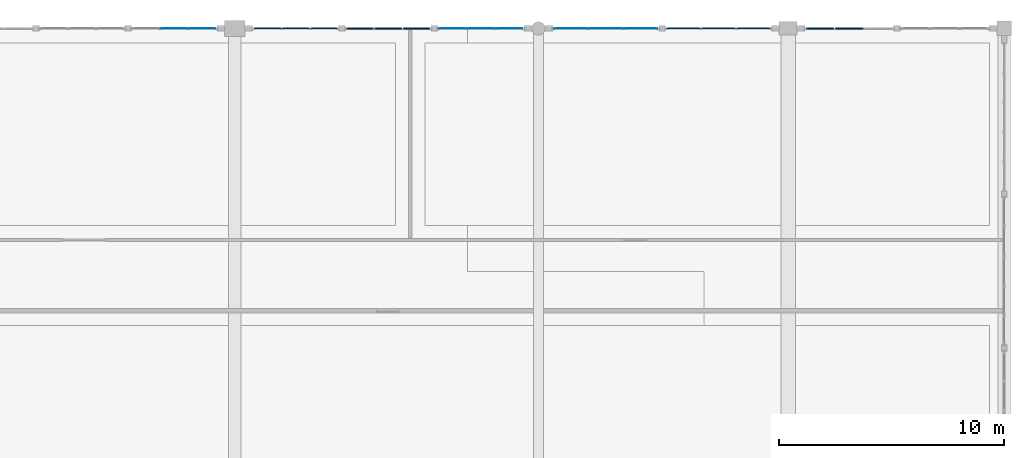
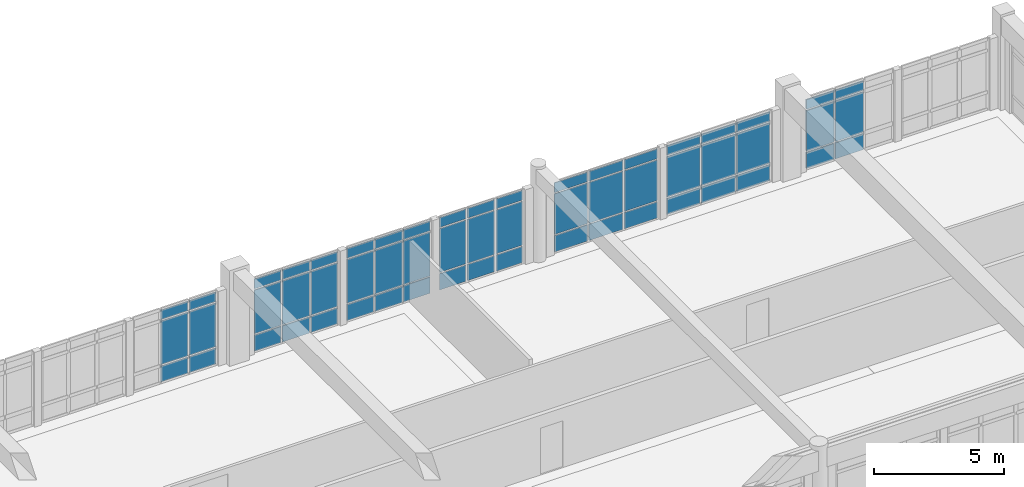
# One storey, part 79 of 109: 57 plates, 7 elements without a shape of their own.
"""IFC4 building model written with IfcOpenShell, lengths in metres."""

from ifc_helpers import new_model, si_unit, direction, frame, origin, origin_2d, place, context, subcontext, project, spatial, rectangle, extrude, material, layer, layer_set, type_object, element, aggregate, save


model = new_model("IFC4")

# Units and contexts
model_context = context("Model", 3, precision=1e-05, world=origin(), true_north=direction((0.0, 1.0)))
body_context = subcontext(model_context, "Body", "Model", "MODEL_VIEW")
ifc_project = project(units=[si_unit("LENGTHUNIT", "METRE"), si_unit("AREAUNIT", "SQUARE_METRE"), si_unit("VOLUMEUNIT", "CUBIC_METRE"), si_unit("PLANEANGLEUNIT", "RADIAN"), si_unit("MASSUNIT", "GRAM", prefix="KILO")], contexts=[model_context])

# Site, building, storey
site_placement = place(None, origin())
site = spatial("IfcSite", under=ifc_project, at=site_placement, CompositionType="ELEMENT")
building_placement = place(site_placement, origin())
building = spatial("IfcBuilding", under=site, at=building_placement, Name="Fikremerkos Civic Library", CompositionType="ELEMENT")
storey_placement = place(building_placement, frame((0.0, 0.0, 5.39990234375)))
storey = spatial("IfcBuildingStorey", under=building, at=storey_placement, Name="L01", CompositionType="ELEMENT", Elevation=5.39990234375)

# Curtain wall, plates
ifc_material_1 = material(Name="Anodized aluminium Frame", Category="aluminium")
ifc_layer_1 = layer(ifc_material_1, 0.159912109375, Name="Anodized aluminium Frame")
ifc_layer_set_1 = layer_set([ifc_layer_1], Name="Anodized aluminium Frame")
curtain_wall_type_1 = type_object("IfcCurtainWallType", Name="Unitised curtain wall CW-13 3700x3200", PredefinedType="USERDEFINED", material=ifc_layer_set_1)
curtain_wall_1_placement = place(storey_placement, origin())
curtain_wall_1 = element("IfcCurtainWall", 1, at=curtain_wall_1_placement, inside=storey, type_object=curtain_wall_type_1, Name="Unitised curtain wall CW-13 L01 #139", ObjectType="UNITISED CURTAIN WALL", PredefinedType="USERDEFINED")
ifc_material_2 = material(Name="Solar control double glazing", Category="glass")
ifc_layer_2 = layer(ifc_material_2, 0.028076171875, Name="Solar control double glazing")
ifc_layer_set_2 = layer_set([ifc_layer_2], Name="Solar control double glazing")
plate_type_1 = type_object("IfcPlateType", Name="Curtain glazing panel CWP-01 28", PredefinedType="CURTAIN_PANEL", material=ifc_layer_set_2)
plate_1_placement = place(storey_placement, frame((109.886474609375, 117.60009765625, 0.06005859375), z_axis=(0.0, 0.0, 1.0), x_axis=(1.0, 0.0, 0.0)))
plate_1 = element("IfcPlate", 2, at=plate_1_placement, type_object=plate_type_1, Name="CW-13 panel 1.1", PredefinedType="CURTAIN_PANEL", context=body_context, shape_type="SweptSolid", body=[
    extrude(rectangle(XDim=1.175048828125, YDim=0.028076171875, at=origin_2d()), origin(), (0.0, 0.0, 1.0), 0.760009765625),
])
plate_2_placement = place(storey_placement, frame((109.886474609375, 117.60009765625, 0.880126953125), z_axis=(0.0, 0.0, 1.0), x_axis=(1.0, 0.0, 0.0)))
plate_2 = element("IfcPlate", 3, at=plate_2_placement, type_object=plate_type_1, Name="CW-13 panel 1.2", PredefinedType="CURTAIN_PANEL", context=body_context, shape_type="SweptSolid", body=[
    extrude(rectangle(XDim=1.175048828125, YDim=0.028076171875, at=origin_2d()), origin(), (0.0, 0.0, 1.0), 2.05712890625),
])
plate_3_placement = place(storey_placement, frame((109.886474609375, 117.60009765625, 2.997314453125), z_axis=(0.0, 0.0, 1.0), x_axis=(1.0, 0.0, 0.0)))
plate_3 = element("IfcPlate", 4, at=plate_3_placement, type_object=plate_type_1, Name="CW-13 panel 1.3", PredefinedType="CURTAIN_PANEL", context=body_context, shape_type="SweptSolid", body=[
    extrude(rectangle(XDim=1.175048828125, YDim=0.028076171875, at=origin_2d()), origin(), (0.0, 0.0, 1.0), 0.4599609375),
])
plate_4_placement = place(storey_placement, frame((111.14306640625, 117.60009765625, 0.06005859375), z_axis=(0.0, 0.0, 1.0), x_axis=(1.0, 0.0, 0.0)))
plate_4 = element("IfcPlate", 5, at=plate_4_placement, type_object=plate_type_1, Name="CW-13 panel 2.1", PredefinedType="CURTAIN_PANEL", context=body_context, shape_type="SweptSolid", body=[
    extrude(rectangle(XDim=1.207763671875, YDim=0.028076171875, at=origin_2d()), origin(), (0.0, 0.0, 1.0), 0.760009765625),
])
plate_5_placement = place(storey_placement, frame((111.14306640625, 117.60009765625, 0.880126953125), z_axis=(0.0, 0.0, 1.0), x_axis=(1.0, 0.0, 0.0)))
plate_5 = element("IfcPlate", 6, at=plate_5_placement, type_object=plate_type_1, Name="CW-13 panel 2.2", PredefinedType="CURTAIN_PANEL", context=body_context, shape_type="SweptSolid", body=[
    extrude(rectangle(XDim=1.207763671875, YDim=0.028076171875, at=origin_2d()), origin(), (0.0, 0.0, 1.0), 2.05712890625),
])
plate_6_placement = place(storey_placement, frame((111.14306640625, 117.60009765625, 2.997314453125), z_axis=(0.0, 0.0, 1.0), x_axis=(1.0, 0.0, 0.0)))
plate_6 = element("IfcPlate", 7, at=plate_6_placement, type_object=plate_type_1, Name="CW-13 panel 2.3", PredefinedType="CURTAIN_PANEL", context=body_context, shape_type="SweptSolid", body=[
    extrude(rectangle(XDim=1.207763671875, YDim=0.028076171875, at=origin_2d()), origin(), (0.0, 0.0, 1.0), 0.4599609375),
])
plate_7_placement = place(storey_placement, frame((112.3994140625, 117.60009765625, 0.06005859375), z_axis=(0.0, 0.0, 1.0), x_axis=(1.0, 0.0, 0.0)))
plate_7 = element("IfcPlate", 8, at=plate_7_placement, type_object=plate_type_1, Name="CW-13 panel 3.1", PredefinedType="CURTAIN_PANEL", context=body_context, shape_type="SweptSolid", body=[
    extrude(rectangle(XDim=1.175048828125, YDim=0.028076171875, at=origin_2d()), origin(), (0.0, 0.0, 1.0), 0.760009765625),
])
plate_8_placement = place(storey_placement, frame((112.3994140625, 117.60009765625, 0.880126953125), z_axis=(0.0, 0.0, 1.0), x_axis=(1.0, 0.0, 0.0)))
plate_8 = element("IfcPlate", 9, at=plate_8_placement, type_object=plate_type_1, Name="CW-13 panel 3.2", PredefinedType="CURTAIN_PANEL", context=body_context, shape_type="SweptSolid", body=[
    extrude(rectangle(XDim=1.175048828125, YDim=0.028076171875, at=origin_2d()), origin(), (0.0, 0.0, 1.0), 2.05712890625),
])
plate_9_placement = place(storey_placement, frame((112.3994140625, 117.60009765625, 2.997314453125), z_axis=(0.0, 0.0, 1.0), x_axis=(1.0, 0.0, 0.0)))
plate_9 = element("IfcPlate", 10, at=plate_9_placement, type_object=plate_type_1, Name="CW-13 panel 3.3", PredefinedType="CURTAIN_PANEL", context=body_context, shape_type="SweptSolid", body=[
    extrude(rectangle(XDim=1.175048828125, YDim=0.028076171875, at=origin_2d()), origin(), (0.0, 0.0, 1.0), 0.4599609375),
])
aggregate(curtain_wall_1, [plate_1, plate_2, plate_3, plate_4, plate_5, plate_6, plate_7, plate_8, plate_9])

ifc_layer_3 = layer(ifc_material_1, 0.159912109375, Name="Anodized aluminium Frame")
ifc_layer_set_3 = layer_set([ifc_layer_3], Name="Anodized aluminium Frame")
curtain_wall_type_2 = type_object("IfcCurtainWallType", Name="Unitised curtain wall CW-10 4000x3400", PredefinedType="USERDEFINED", material=ifc_layer_set_3)
curtain_wall_2_placement = place(storey_placement, origin())
curtain_wall_2 = element("IfcCurtainWall", 11, at=curtain_wall_2_placement, inside=storey, type_object=curtain_wall_type_2, Name="Unitised curtain wall CW-10 L01 #136", ObjectType="UNITISED CURTAIN WALL", PredefinedType="USERDEFINED")
ifc_layer_4 = layer(ifc_material_2, 0.035888671875, Name="Solar control double glazing")
ifc_layer_set_4 = layer_set([ifc_layer_4], Name="Solar control double glazing")
plate_type_2 = type_object("IfcPlateType", Name="Curtain glazing panel CWP-02 36", PredefinedType="CURTAIN_PANEL", material=ifc_layer_set_4)
plate_10_placement = place(storey_placement, frame((97.505615234375, 117.60009765625, 0.070068359375), z_axis=(0.0, 0.0, 1.0), x_axis=(1.0, 0.0, 0.0)))
plate_10 = element("IfcPlate", 12, at=plate_10_placement, type_object=plate_type_2, Name="CW-10 panel 2.1", PredefinedType="CURTAIN_PANEL", context=body_context, shape_type="SweptSolid", body=[
    extrude(rectangle(XDim=1.204345703125, YDim=0.035888671875, at=origin_2d()), origin(), (0.0, 0.0, 1.0), 0.7451171875),
])
plate_11_placement = place(storey_placement, frame((97.505615234375, 117.60009765625, 0.88525390625), z_axis=(0.0, 0.0, 1.0), x_axis=(1.0, 0.0, 0.0)))
plate_11 = element("IfcPlate", 13, at=plate_11_placement, type_object=plate_type_2, Name="CW-10 panel 2.2", PredefinedType="CURTAIN_PANEL", context=body_context, shape_type="SweptSolid", body=[
    extrude(rectangle(XDim=1.204345703125, YDim=0.035888671875, at=origin_2d()), origin(), (0.0, 0.0, 1.0), 2.047119140625),
])
plate_12_placement = place(storey_placement, frame((97.505615234375, 117.60009765625, 3.00244140625), z_axis=(0.0, 0.0, 1.0), x_axis=(1.0, 0.0, 0.0)))
plate_12 = element("IfcPlate", 14, at=plate_12_placement, type_object=plate_type_2, Name="CW-10 panel 2.3", PredefinedType="CURTAIN_PANEL", context=body_context, shape_type="SweptSolid", body=[
    extrude(rectangle(XDim=1.204345703125, YDim=0.035888671875, at=origin_2d()), origin(), (0.0, 0.0, 1.0), 0.445068359375),
])
plate_13_placement = place(storey_placement, frame((98.7548828125, 117.60009765625, 0.070068359375), z_axis=(0.0, 0.0, 1.0), x_axis=(1.0, 0.0, 0.0)))
plate_13 = element("IfcPlate", 15, at=plate_13_placement, type_object=plate_type_2, Name="CW-10 panel 3.1", PredefinedType="CURTAIN_PANEL", context=body_context, shape_type="SweptSolid", body=[
    extrude(rectangle(XDim=1.17431640625, YDim=0.035888671875, at=origin_2d()), origin(), (0.0, 0.0, 1.0), 0.7451171875),
])
plate_14_placement = place(storey_placement, frame((98.7548828125, 117.60009765625, 0.88525390625), z_axis=(0.0, 0.0, 1.0), x_axis=(1.0, 0.0, 0.0)))
plate_14 = element("IfcPlate", 16, at=plate_14_placement, type_object=plate_type_2, Name="CW-10 panel 3.2", PredefinedType="CURTAIN_PANEL", context=body_context, shape_type="SweptSolid", body=[
    extrude(rectangle(XDim=1.17431640625, YDim=0.035888671875, at=origin_2d()), origin(), (0.0, 0.0, 1.0), 2.047119140625),
])
plate_15_placement = place(storey_placement, frame((98.7548828125, 117.60009765625, 3.00244140625), z_axis=(0.0, 0.0, 1.0), x_axis=(1.0, 0.0, 0.0)))
plate_15 = element("IfcPlate", 17, at=plate_15_placement, type_object=plate_type_2, Name="CW-10 panel 3.3", PredefinedType="CURTAIN_PANEL", context=body_context, shape_type="SweptSolid", body=[
    extrude(rectangle(XDim=1.17431640625, YDim=0.035888671875, at=origin_2d()), origin(), (0.0, 0.0, 1.0), 0.445068359375),
])
aggregate(curtain_wall_2, [plate_10, plate_11, plate_12, plate_13, plate_14, plate_15])

ifc_layer_5 = layer(ifc_material_1, 0.159912109375, Name="Anodized aluminium Frame")
ifc_layer_set_5 = layer_set([ifc_layer_5], Name="Anodized aluminium Frame")
curtain_wall_type_3 = type_object("IfcCurtainWallType", Name="Unitised curtain wall CW-14 4100x3200", PredefinedType="USERDEFINED", material=ifc_layer_set_5)
curtain_wall_3_placement = place(storey_placement, origin())
curtain_wall_3 = element("IfcCurtainWall", 18, at=curtain_wall_3_placement, inside=storey, type_object=curtain_wall_type_3, Name="Unitised curtain wall CW-14 L01 #140", ObjectType="UNITISED CURTAIN WALL", PredefinedType="USERDEFINED")
plate_16_placement = place(storey_placement, frame((115.146728515625, 117.60009765625, 0.06005859375), z_axis=(0.0, 0.0, 1.0), x_axis=(1.0, 0.0, 0.0)))
plate_16 = element("IfcPlate", 19, at=plate_16_placement, type_object=plate_type_2, Name="CW-14 panel 1.1", PredefinedType="CURTAIN_PANEL", context=body_context, shape_type="SweptSolid", body=[
    extrude(rectangle(XDim=1.477294921875, YDim=0.035888671875, at=origin_2d()), origin(), (0.0, 0.0, 1.0), 0.760009765625),
])
plate_17_placement = place(storey_placement, frame((115.146728515625, 117.60009765625, 0.880126953125), z_axis=(0.0, 0.0, 1.0), x_axis=(1.0, 0.0, 0.0)))
plate_17 = element("IfcPlate", 20, at=plate_17_placement, type_object=plate_type_2, Name="CW-14 panel 1.2", PredefinedType="CURTAIN_PANEL", context=body_context, shape_type="SweptSolid", body=[
    extrude(rectangle(XDim=1.477294921875, YDim=0.035888671875, at=origin_2d()), origin(), (0.0, 0.0, 1.0), 1.9072265625),
])
plate_18_placement = place(storey_placement, frame((115.146728515625, 117.60009765625, 2.847412109375), z_axis=(0.0, 0.0, 1.0), x_axis=(1.0, 0.0, 0.0)))
plate_18 = element("IfcPlate", 21, at=plate_18_placement, type_object=plate_type_2, Name="CW-14 panel 1.3", PredefinedType="CURTAIN_PANEL", context=body_context, shape_type="SweptSolid", body=[
    extrude(rectangle(XDim=1.477294921875, YDim=0.035888671875, at=origin_2d()), origin(), (0.0, 0.0, 1.0), 0.4599609375),
])
plate_19_placement = place(storey_placement, frame((116.698974609375, 117.60009765625, 0.06005859375), z_axis=(0.0, 0.0, 1.0), x_axis=(1.0, 0.0, 0.0)))
plate_19 = element("IfcPlate", 22, at=plate_19_placement, type_object=plate_type_2, Name="CW-14 panel 2.1", PredefinedType="CURTAIN_PANEL", context=body_context, shape_type="SweptSolid", body=[
    extrude(rectangle(XDim=1.50732421875, YDim=0.035888671875, at=origin_2d()), origin(), (0.0, 0.0, 1.0), 0.760009765625),
])
plate_20_placement = place(storey_placement, frame((116.698974609375, 117.60009765625, 0.880126953125), z_axis=(0.0, 0.0, 1.0), x_axis=(1.0, 0.0, 0.0)))
plate_20 = element("IfcPlate", 23, at=plate_20_placement, type_object=plate_type_2, Name="CW-14 panel 2.2", PredefinedType="CURTAIN_PANEL", context=body_context, shape_type="SweptSolid", body=[
    extrude(rectangle(XDim=1.50732421875, YDim=0.035888671875, at=origin_2d()), origin(), (0.0, 0.0, 1.0), 1.9072265625),
])
plate_21_placement = place(storey_placement, frame((116.698974609375, 117.60009765625, 2.847412109375), z_axis=(0.0, 0.0, 1.0), x_axis=(1.0, 0.0, 0.0)))
plate_21 = element("IfcPlate", 24, at=plate_21_placement, type_object=plate_type_2, Name="CW-14 panel 2.3", PredefinedType="CURTAIN_PANEL", context=body_context, shape_type="SweptSolid", body=[
    extrude(rectangle(XDim=1.50732421875, YDim=0.035888671875, at=origin_2d()), origin(), (0.0, 0.0, 1.0), 0.4599609375),
])
plate_22_placement = place(storey_placement, frame((118.251220703125, 117.60009765625, 0.06005859375), z_axis=(0.0, 0.0, 1.0), x_axis=(1.0, 0.0, 0.0)))
plate_22 = element("IfcPlate", 25, at=plate_22_placement, type_object=plate_type_2, Name="CW-14 panel 3.1", PredefinedType="CURTAIN_PANEL", context=body_context, shape_type="SweptSolid", body=[
    extrude(rectangle(XDim=1.477294921875, YDim=0.035888671875, at=origin_2d()), origin(), (0.0, 0.0, 1.0), 0.760009765625),
])
plate_23_placement = place(storey_placement, frame((118.251220703125, 117.60009765625, 0.880126953125), z_axis=(0.0, 0.0, 1.0), x_axis=(1.0, 0.0, 0.0)))
plate_23 = element("IfcPlate", 26, at=plate_23_placement, type_object=plate_type_2, Name="CW-14 panel 3.2", PredefinedType="CURTAIN_PANEL", context=body_context, shape_type="SweptSolid", body=[
    extrude(rectangle(XDim=1.477294921875, YDim=0.035888671875, at=origin_2d()), origin(), (0.0, 0.0, 1.0), 1.9072265625),
])
plate_24_placement = place(storey_placement, frame((118.251220703125, 117.60009765625, 2.847412109375), z_axis=(0.0, 0.0, 1.0), x_axis=(1.0, 0.0, 0.0)))
plate_24 = element("IfcPlate", 27, at=plate_24_placement, type_object=plate_type_2, Name="CW-14 panel 3.3", PredefinedType="CURTAIN_PANEL", context=body_context, shape_type="SweptSolid", body=[
    extrude(rectangle(XDim=1.477294921875, YDim=0.035888671875, at=origin_2d()), origin(), (0.0, 0.0, 1.0), 0.4599609375),
])
aggregate(curtain_wall_3, [plate_16, plate_17, plate_18, plate_19, plate_20, plate_21, plate_22, plate_23, plate_24])

ifc_layer_6 = layer(ifc_material_1, 0.159912109375, Name="Anodized aluminium Frame")
ifc_layer_set_6 = layer_set([ifc_layer_6], Name="Anodized aluminium Frame")
curtain_wall_type_4 = type_object("IfcCurtainWallType", Name="Unitised curtain wall CW-11 3200x3400", PredefinedType="USERDEFINED", material=ifc_layer_set_6)
curtain_wall_4_placement = place(storey_placement, origin())
curtain_wall_4 = element("IfcCurtainWall", 28, at=curtain_wall_4_placement, inside=storey, type_object=curtain_wall_type_4, Name="Unitised curtain wall CW-11 L01 #137", ObjectType="UNITISED CURTAIN WALL", PredefinedType="USERDEFINED")
ifc_material_3 = material(Name="Insulated aluminium spandrel", Category="aluminium")
ifc_layer_7 = layer(ifc_material_3, 0.044921875, Name="Insulated aluminium spandrel")
ifc_layer_set_7 = layer_set([ifc_layer_7], Name="Insulated aluminium spandrel")
plate_type_3 = type_object("IfcPlateType", Name="Curtain spandrel panel CSP-01 45", PredefinedType="CURTAIN_PANEL", material=ifc_layer_set_7)
plate_25_placement = place(storey_placement, frame((101.6494140625, 117.60009765625, 0.065185546875), z_axis=(0.0, 0.0, 1.0), x_axis=(1.0, 0.0, 0.0)))
plate_25 = element("IfcPlate", 29, at=plate_25_placement, type_object=plate_type_3, Name="CW-11 panel 1.1", PredefinedType="CURTAIN_PANEL", context=body_context, shape_type="SweptSolid", body=[
    extrude(rectangle(XDim=1.1826171875, YDim=0.044921875, at=origin_2d()), origin(), (0.0, 0.0, 1.0), 0.75244140625),
])
plate_26_placement = place(storey_placement, frame((101.6494140625, 117.60009765625, 0.882568359375), z_axis=(0.0, 0.0, 1.0), x_axis=(1.0, 0.0, 0.0)))
plate_26 = element("IfcPlate", 30, at=plate_26_placement, type_object=plate_type_3, Name="CW-11 panel 1.2", PredefinedType="CURTAIN_PANEL", context=body_context, shape_type="SweptSolid", body=[
    extrude(rectangle(XDim=1.1826171875, YDim=0.044921875, at=origin_2d()), origin(), (0.0, 0.0, 1.0), 2.05224609375),
])
plate_27_placement = place(storey_placement, frame((101.6494140625, 117.60009765625, 3.0), z_axis=(0.0, 0.0, 1.0), x_axis=(1.0, 0.0, 0.0)))
plate_27 = element("IfcPlate", 31, at=plate_27_placement, type_object=plate_type_3, Name="CW-11 panel 1.3", PredefinedType="CURTAIN_PANEL", context=body_context, shape_type="SweptSolid", body=[
    extrude(rectangle(XDim=1.1826171875, YDim=0.044921875, at=origin_2d()), origin(), (0.0, 0.0, 1.0), 0.452392578125),
])
plate_28_placement = place(storey_placement, frame((102.906982421875, 117.60009765625, 0.065185546875), z_axis=(0.0, 0.0, 1.0), x_axis=(1.0, 0.0, 0.0)))
plate_28 = element("IfcPlate", 32, at=plate_28_placement, type_object=plate_type_3, Name="CW-11 panel 2.1", PredefinedType="CURTAIN_PANEL", context=body_context, shape_type="SweptSolid", body=[
    extrude(rectangle(XDim=1.212646484375, YDim=0.044921875, at=origin_2d()), origin(), (0.0, 0.0, 1.0), 0.75244140625),
])
plate_29_placement = place(storey_placement, frame((102.906982421875, 117.60009765625, 0.882568359375), z_axis=(0.0, 0.0, 1.0), x_axis=(1.0, 0.0, 0.0)))
plate_29 = element("IfcPlate", 33, at=plate_29_placement, type_object=plate_type_3, Name="CW-11 panel 2.2", PredefinedType="CURTAIN_PANEL", context=body_context, shape_type="SweptSolid", body=[
    extrude(rectangle(XDim=1.212646484375, YDim=0.044921875, at=origin_2d()), origin(), (0.0, 0.0, 1.0), 2.05224609375),
])
plate_30_placement = place(storey_placement, frame((102.906982421875, 117.60009765625, 3.0), z_axis=(0.0, 0.0, 1.0), x_axis=(1.0, 0.0, 0.0)))
plate_30 = element("IfcPlate", 34, at=plate_30_placement, type_object=plate_type_3, Name="CW-11 panel 2.3", PredefinedType="CURTAIN_PANEL", context=body_context, shape_type="SweptSolid", body=[
    extrude(rectangle(XDim=1.212646484375, YDim=0.044921875, at=origin_2d()), origin(), (0.0, 0.0, 1.0), 0.452392578125),
])
plate_31_placement = place(storey_placement, frame((104.16455078125, 117.60009765625, 0.065185546875), z_axis=(0.0, 0.0, 1.0), x_axis=(1.0, 0.0, 0.0)))
plate_31 = element("IfcPlate", 35, at=plate_31_placement, type_object=plate_type_3, Name="CW-11 panel 3.1", PredefinedType="CURTAIN_PANEL", context=body_context, shape_type="SweptSolid", body=[
    extrude(rectangle(XDim=1.1826171875, YDim=0.044921875, at=origin_2d()), origin(), (0.0, 0.0, 1.0), 0.75244140625),
])
plate_32_placement = place(storey_placement, frame((104.16455078125, 117.60009765625, 0.882568359375), z_axis=(0.0, 0.0, 1.0), x_axis=(1.0, 0.0, 0.0)))
plate_32 = element("IfcPlate", 36, at=plate_32_placement, type_object=plate_type_3, Name="CW-11 panel 3.2", PredefinedType="CURTAIN_PANEL", context=body_context, shape_type="SweptSolid", body=[
    extrude(rectangle(XDim=1.1826171875, YDim=0.044921875, at=origin_2d()), origin(), (0.0, 0.0, 1.0), 2.05224609375),
])
plate_33_placement = place(storey_placement, frame((104.16455078125, 117.60009765625, 3.0), z_axis=(0.0, 0.0, 1.0), x_axis=(1.0, 0.0, 0.0)))
plate_33 = element("IfcPlate", 37, at=plate_33_placement, type_object=plate_type_3, Name="CW-11 panel 3.3", PredefinedType="CURTAIN_PANEL", context=body_context, shape_type="SweptSolid", body=[
    extrude(rectangle(XDim=1.1826171875, YDim=0.044921875, at=origin_2d()), origin(), (0.0, 0.0, 1.0), 0.452392578125),
])
aggregate(curtain_wall_4, [plate_25, plate_26, plate_27, plate_28, plate_29, plate_30, plate_31, plate_32, plate_33])

ifc_layer_8 = layer(ifc_material_1, 0.159912109375, Name="Anodized aluminium Frame")
ifc_layer_set_8 = layer_set([ifc_layer_8], Name="Anodized aluminium Frame")
curtain_wall_type_5 = type_object("IfcCurtainWallType", Name="Unitised curtain wall CW-15 2900x3600", PredefinedType="USERDEFINED", material=ifc_layer_set_8)
curtain_wall_5_placement = place(storey_placement, origin())
curtain_wall_5 = element("IfcCurtainWall", 38, at=curtain_wall_5_placement, inside=storey, type_object=curtain_wall_type_5, Name="Unitised curtain wall CW-15 L01 #141", ObjectType="UNITISED CURTAIN WALL", PredefinedType="USERDEFINED")
plate_34_placement = place(storey_placement, frame((120.148681640625, 117.60009765625, 0.070068359375), z_axis=(0.0, 0.0, 1.0), x_axis=(1.0, 0.0, 0.0)))
plate_34 = element("IfcPlate", 39, at=plate_34_placement, type_object=plate_type_3, Name="CW-15 panel 1.1", PredefinedType="CURTAIN_PANEL", context=body_context, shape_type="SweptSolid", body=[
    extrude(rectangle(XDim=1.477294921875, YDim=0.044921875, at=origin_2d()), origin(), (0.0, 0.0, 1.0), 0.7451171875),
])
plate_35_placement = place(storey_placement, frame((120.148681640625, 117.60009765625, 0.88525390625), z_axis=(0.0, 0.0, 1.0), x_axis=(1.0, 0.0, 0.0)))
plate_35 = element("IfcPlate", 40, at=plate_35_placement, type_object=plate_type_3, Name="CW-15 panel 1.2", PredefinedType="CURTAIN_PANEL", context=body_context, shape_type="SweptSolid", body=[
    extrude(rectangle(XDim=1.477294921875, YDim=0.044921875, at=origin_2d()), origin(), (0.0, 0.0, 1.0), 1.897216796875),
])
plate_36_placement = place(storey_placement, frame((120.148681640625, 117.60009765625, 2.85205078125), z_axis=(0.0, 0.0, 1.0), x_axis=(1.0, 0.0, 0.0)))
plate_36 = element("IfcPlate", 41, at=plate_36_placement, type_object=plate_type_3, Name="CW-15 panel 1.3", PredefinedType="CURTAIN_PANEL", context=body_context, shape_type="SweptSolid", body=[
    extrude(rectangle(XDim=1.477294921875, YDim=0.044921875, at=origin_2d()), origin(), (0.0, 0.0, 1.0), 0.445068359375),
])
plate_37_placement = place(storey_placement, frame((121.700927734375, 117.60009765625, 0.070068359375), z_axis=(0.0, 0.0, 1.0), x_axis=(1.0, 0.0, 0.0)))
plate_37 = element("IfcPlate", 42, at=plate_37_placement, type_object=plate_type_3, Name="CW-15 panel 2.1", PredefinedType="CURTAIN_PANEL", context=body_context, shape_type="SweptSolid", body=[
    extrude(rectangle(XDim=1.50732421875, YDim=0.044921875, at=origin_2d()), origin(), (0.0, 0.0, 1.0), 0.7451171875),
])
plate_38_placement = place(storey_placement, frame((121.700927734375, 117.60009765625, 0.88525390625), z_axis=(0.0, 0.0, 1.0), x_axis=(1.0, 0.0, 0.0)))
plate_38 = element("IfcPlate", 43, at=plate_38_placement, type_object=plate_type_3, Name="CW-15 panel 2.2", PredefinedType="CURTAIN_PANEL", context=body_context, shape_type="SweptSolid", body=[
    extrude(rectangle(XDim=1.50732421875, YDim=0.044921875, at=origin_2d()), origin(), (0.0, 0.0, 1.0), 1.897216796875),
])
plate_39_placement = place(storey_placement, frame((121.700927734375, 117.60009765625, 2.85205078125), z_axis=(0.0, 0.0, 1.0), x_axis=(1.0, 0.0, 0.0)))
plate_39 = element("IfcPlate", 44, at=plate_39_placement, type_object=plate_type_3, Name="CW-15 panel 2.3", PredefinedType="CURTAIN_PANEL", context=body_context, shape_type="SweptSolid", body=[
    extrude(rectangle(XDim=1.50732421875, YDim=0.044921875, at=origin_2d()), origin(), (0.0, 0.0, 1.0), 0.445068359375),
])
plate_40_placement = place(storey_placement, frame((123.25341796875, 117.60009765625, 0.070068359375), z_axis=(0.0, 0.0, 1.0), x_axis=(1.0, 0.0, 0.0)))
plate_40 = element("IfcPlate", 45, at=plate_40_placement, type_object=plate_type_3, Name="CW-15 panel 3.1", PredefinedType="CURTAIN_PANEL", context=body_context, shape_type="SweptSolid", body=[
    extrude(rectangle(XDim=1.477294921875, YDim=0.044921875, at=origin_2d()), origin(), (0.0, 0.0, 1.0), 0.7451171875),
])
plate_41_placement = place(storey_placement, frame((123.25341796875, 117.60009765625, 0.88525390625), z_axis=(0.0, 0.0, 1.0), x_axis=(1.0, 0.0, 0.0)))
plate_41 = element("IfcPlate", 46, at=plate_41_placement, type_object=plate_type_3, Name="CW-15 panel 3.2", PredefinedType="CURTAIN_PANEL", context=body_context, shape_type="SweptSolid", body=[
    extrude(rectangle(XDim=1.477294921875, YDim=0.044921875, at=origin_2d()), origin(), (0.0, 0.0, 1.0), 1.897216796875),
])
plate_42_placement = place(storey_placement, frame((123.25341796875, 117.60009765625, 2.85205078125), z_axis=(0.0, 0.0, 1.0), x_axis=(1.0, 0.0, 0.0)))
plate_42 = element("IfcPlate", 47, at=plate_42_placement, type_object=plate_type_3, Name="CW-15 panel 3.3", PredefinedType="CURTAIN_PANEL", context=body_context, shape_type="SweptSolid", body=[
    extrude(rectangle(XDim=1.477294921875, YDim=0.044921875, at=origin_2d()), origin(), (0.0, 0.0, 1.0), 0.445068359375),
])
aggregate(curtain_wall_5, [plate_34, plate_35, plate_36, plate_37, plate_38, plate_39, plate_40, plate_41, plate_42])

ifc_layer_9 = layer(ifc_material_1, 0.159912109375, Name="Anodized aluminium Frame")
ifc_layer_set_9 = layer_set([ifc_layer_9], Name="Anodized aluminium Frame")
curtain_wall_type_6 = type_object("IfcCurtainWallType", Name="Unitised curtain wall CW-12 4300x3400", PredefinedType="USERDEFINED", material=ifc_layer_set_9)
curtain_wall_6_placement = place(storey_placement, origin())
curtain_wall_6 = element("IfcCurtainWall", 48, at=curtain_wall_6_placement, inside=storey, type_object=curtain_wall_type_6, Name="Unitised curtain wall CW-12 L01 #138", ObjectType="UNITISED CURTAIN WALL", PredefinedType="USERDEFINED")
ifc_layer_10 = layer(ifc_material_3, 0.054931640625, Name="Insulated aluminium spandrel")
ifc_layer_set_10 = layer_set([ifc_layer_10], Name="Insulated aluminium spandrel")
plate_type_4 = type_object("IfcPlateType", Name="Curtain spandrel panel CSP-02 55", PredefinedType="CURTAIN_PANEL", material=ifc_layer_set_10)
plate_43_placement = place(storey_placement, frame((105.767333984375, 117.60009765625, 0.065185546875), z_axis=(0.0, 0.0, 1.0), x_axis=(1.0, 0.0, 0.0)))
plate_43 = element("IfcPlate", 49, at=plate_43_placement, type_object=plate_type_4, Name="CW-12 panel 1.1", PredefinedType="CURTAIN_PANEL", context=body_context, shape_type="SweptSolid", body=[
    extrude(rectangle(XDim=1.1826171875, YDim=0.054931640625, at=origin_2d()), origin(), (0.0, 0.0, 1.0), 0.75244140625),
])
plate_44_placement = place(storey_placement, frame((105.767333984375, 117.60009765625, 0.882568359375), z_axis=(0.0, 0.0, 1.0), x_axis=(1.0, 0.0, 0.0)))
plate_44 = element("IfcPlate", 50, at=plate_44_placement, type_object=plate_type_4, Name="CW-12 panel 1.2", PredefinedType="CURTAIN_PANEL", context=body_context, shape_type="SweptSolid", body=[
    extrude(rectangle(XDim=1.1826171875, YDim=0.054931640625, at=origin_2d()), origin(), (0.0, 0.0, 1.0), 2.05224609375),
])
plate_45_placement = place(storey_placement, frame((105.767333984375, 117.60009765625, 3.0), z_axis=(0.0, 0.0, 1.0), x_axis=(1.0, 0.0, 0.0)))
plate_45 = element("IfcPlate", 51, at=plate_45_placement, type_object=plate_type_4, Name="CW-12 panel 1.3", PredefinedType="CURTAIN_PANEL", context=body_context, shape_type="SweptSolid", body=[
    extrude(rectangle(XDim=1.1826171875, YDim=0.054931640625, at=origin_2d()), origin(), (0.0, 0.0, 1.0), 0.452392578125),
])
plate_46_placement = place(storey_placement, frame((107.02490234375, 117.60009765625, 0.065185546875), z_axis=(0.0, 0.0, 1.0), x_axis=(1.0, 0.0, 0.0)))
plate_46 = element("IfcPlate", 52, at=plate_46_placement, type_object=plate_type_4, Name="CW-12 panel 2.1", PredefinedType="CURTAIN_PANEL", context=body_context, shape_type="SweptSolid", body=[
    extrude(rectangle(XDim=1.212646484375, YDim=0.054931640625, at=origin_2d()), origin(), (0.0, 0.0, 1.0), 0.75244140625),
])
plate_47_placement = place(storey_placement, frame((107.02490234375, 117.60009765625, 0.882568359375), z_axis=(0.0, 0.0, 1.0), x_axis=(1.0, 0.0, 0.0)))
plate_47 = element("IfcPlate", 53, at=plate_47_placement, type_object=plate_type_4, Name="CW-12 panel 2.2", PredefinedType="CURTAIN_PANEL", context=body_context, shape_type="SweptSolid", body=[
    extrude(rectangle(XDim=1.212646484375, YDim=0.054931640625, at=origin_2d()), origin(), (0.0, 0.0, 1.0), 2.05224609375),
])
plate_48_placement = place(storey_placement, frame((107.02490234375, 117.60009765625, 3.0), z_axis=(0.0, 0.0, 1.0), x_axis=(1.0, 0.0, 0.0)))
plate_48 = element("IfcPlate", 54, at=plate_48_placement, type_object=plate_type_4, Name="CW-12 panel 2.3", PredefinedType="CURTAIN_PANEL", context=body_context, shape_type="SweptSolid", body=[
    extrude(rectangle(XDim=1.212646484375, YDim=0.054931640625, at=origin_2d()), origin(), (0.0, 0.0, 1.0), 0.452392578125),
])
plate_49_placement = place(storey_placement, frame((108.28271484375, 117.60009765625, 0.065185546875), z_axis=(0.0, 0.0, 1.0), x_axis=(1.0, 0.0, 0.0)))
plate_49 = element("IfcPlate", 55, at=plate_49_placement, type_object=plate_type_4, Name="CW-12 panel 3.1", PredefinedType="CURTAIN_PANEL", context=body_context, shape_type="SweptSolid", body=[
    extrude(rectangle(XDim=1.1826171875, YDim=0.054931640625, at=origin_2d()), origin(), (0.0, 0.0, 1.0), 0.75244140625),
])
plate_50_placement = place(storey_placement, frame((108.28271484375, 117.60009765625, 0.882568359375), z_axis=(0.0, 0.0, 1.0), x_axis=(1.0, 0.0, 0.0)))
plate_50 = element("IfcPlate", 56, at=plate_50_placement, type_object=plate_type_4, Name="CW-12 panel 3.2", PredefinedType="CURTAIN_PANEL", context=body_context, shape_type="SweptSolid", body=[
    extrude(rectangle(XDim=1.1826171875, YDim=0.054931640625, at=origin_2d()), origin(), (0.0, 0.0, 1.0), 2.05224609375),
])
plate_51_placement = place(storey_placement, frame((108.28271484375, 117.60009765625, 3.0), z_axis=(0.0, 0.0, 1.0), x_axis=(1.0, 0.0, 0.0)))
plate_51 = element("IfcPlate", 57, at=plate_51_placement, type_object=plate_type_4, Name="CW-12 panel 3.3", PredefinedType="CURTAIN_PANEL", context=body_context, shape_type="SweptSolid", body=[
    extrude(rectangle(XDim=1.1826171875, YDim=0.054931640625, at=origin_2d()), origin(), (0.0, 0.0, 1.0), 0.452392578125),
])
aggregate(curtain_wall_6, [plate_43, plate_44, plate_45, plate_46, plate_47, plate_48, plate_49, plate_50, plate_51])

ifc_layer_11 = layer(ifc_material_1, 0.159912109375, Name="Anodized aluminium Frame")
ifc_layer_set_11 = layer_set([ifc_layer_11], Name="Anodized aluminium Frame")
curtain_wall_type_7 = type_object("IfcCurtainWallType", Name="Unitised curtain wall CW-16 3100x4100", PredefinedType="USERDEFINED", material=ifc_layer_set_11)
curtain_wall_7_placement = place(storey_placement, origin())
curtain_wall_7 = element("IfcCurtainWall", 58, at=curtain_wall_7_placement, inside=storey, type_object=curtain_wall_type_7, Name="Unitised curtain wall CW-16 L01 #142", ObjectType="UNITISED CURTAIN WALL", PredefinedType="USERDEFINED")
plate_52_placement = place(storey_placement, frame((126.219482421875, 117.60009765625, 0.070068359375), z_axis=(0.0, 0.0, 1.0), x_axis=(1.0, 0.0, 0.0)))
plate_52 = element("IfcPlate", 59, at=plate_52_placement, type_object=plate_type_4, Name="CW-16 panel 1.1", PredefinedType="CURTAIN_PANEL", context=body_context, shape_type="SweptSolid", body=[
    extrude(rectangle(XDim=1.22314453125, YDim=0.054931640625, at=origin_2d()), origin(), (0.0, 0.0, 1.0), 0.7451171875),
])
plate_53_placement = place(storey_placement, frame((126.219482421875, 117.60009765625, 0.88525390625), z_axis=(0.0, 0.0, 1.0), x_axis=(1.0, 0.0, 0.0)))
plate_53 = element("IfcPlate", 60, at=plate_53_placement, type_object=plate_type_4, Name="CW-16 panel 1.2", PredefinedType="CURTAIN_PANEL", context=body_context, shape_type="SweptSolid", body=[
    extrude(rectangle(XDim=1.22314453125, YDim=0.054931640625, at=origin_2d()), origin(), (0.0, 0.0, 1.0), 1.897216796875),
])
plate_54_placement = place(storey_placement, frame((126.219482421875, 117.60009765625, 2.85205078125), z_axis=(0.0, 0.0, 1.0), x_axis=(1.0, 0.0, 0.0)))
plate_54 = element("IfcPlate", 61, at=plate_54_placement, type_object=plate_type_4, Name="CW-16 panel 1.3", PredefinedType="CURTAIN_PANEL", context=body_context, shape_type="SweptSolid", body=[
    extrude(rectangle(XDim=1.22314453125, YDim=0.054931640625, at=origin_2d()), origin(), (0.0, 0.0, 1.0), 0.445068359375),
])
plate_55_placement = place(storey_placement, frame((127.517822265625, 117.60009765625, 0.070068359375), z_axis=(0.0, 0.0, 1.0), x_axis=(1.0, 0.0, 0.0)))
plate_55 = element("IfcPlate", 62, at=plate_55_placement, type_object=plate_type_4, Name="CW-16 panel 2.1", PredefinedType="CURTAIN_PANEL", context=body_context, shape_type="SweptSolid", body=[
    extrude(rectangle(XDim=1.253173828125, YDim=0.054931640625, at=origin_2d()), origin(), (0.0, 0.0, 1.0), 0.7451171875),
])
plate_56_placement = place(storey_placement, frame((127.517822265625, 117.60009765625, 0.88525390625), z_axis=(0.0, 0.0, 1.0), x_axis=(1.0, 0.0, 0.0)))
plate_56 = element("IfcPlate", 63, at=plate_56_placement, type_object=plate_type_4, Name="CW-16 panel 2.2", PredefinedType="CURTAIN_PANEL", context=body_context, shape_type="SweptSolid", body=[
    extrude(rectangle(XDim=1.253173828125, YDim=0.054931640625, at=origin_2d()), origin(), (0.0, 0.0, 1.0), 1.897216796875),
])
plate_57_placement = place(storey_placement, frame((127.517822265625, 117.60009765625, 2.85205078125), z_axis=(0.0, 0.0, 1.0), x_axis=(1.0, 0.0, 0.0)))
plate_57 = element("IfcPlate", 64, at=plate_57_placement, type_object=plate_type_4, Name="CW-16 panel 2.3", PredefinedType="CURTAIN_PANEL", context=body_context, shape_type="SweptSolid", body=[
    extrude(rectangle(XDim=1.253173828125, YDim=0.054931640625, at=origin_2d()), origin(), (0.0, 0.0, 1.0), 0.445068359375),
])
aggregate(curtain_wall_7, [plate_52, plate_53, plate_54, plate_55, plate_56, plate_57])

save(model, "model.ifc")
